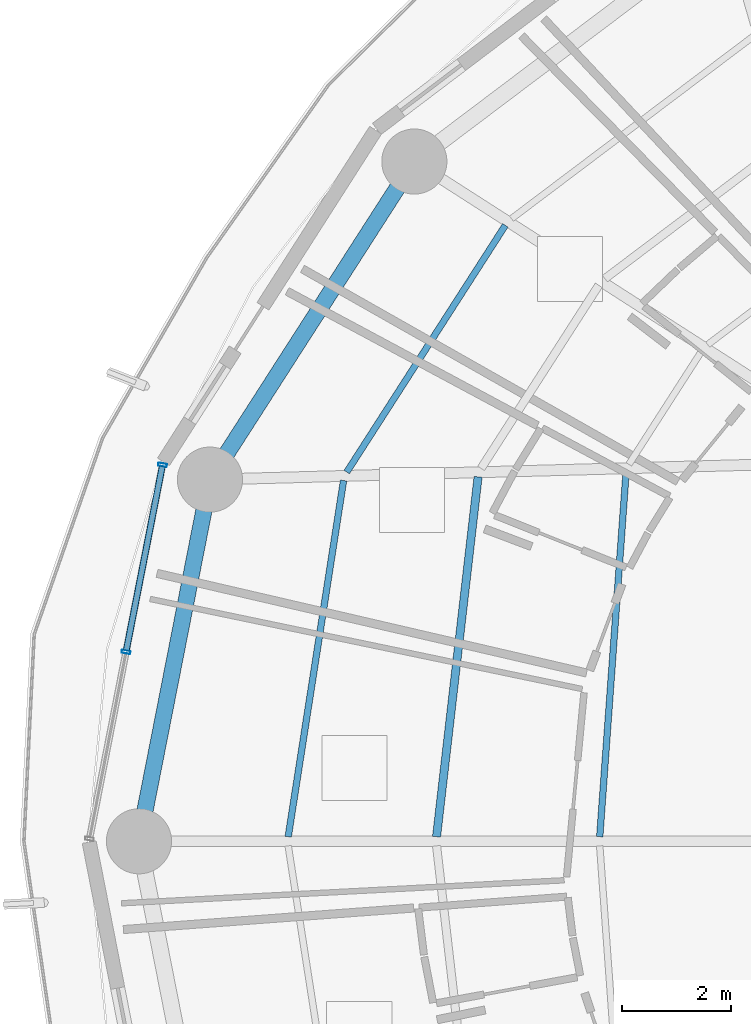
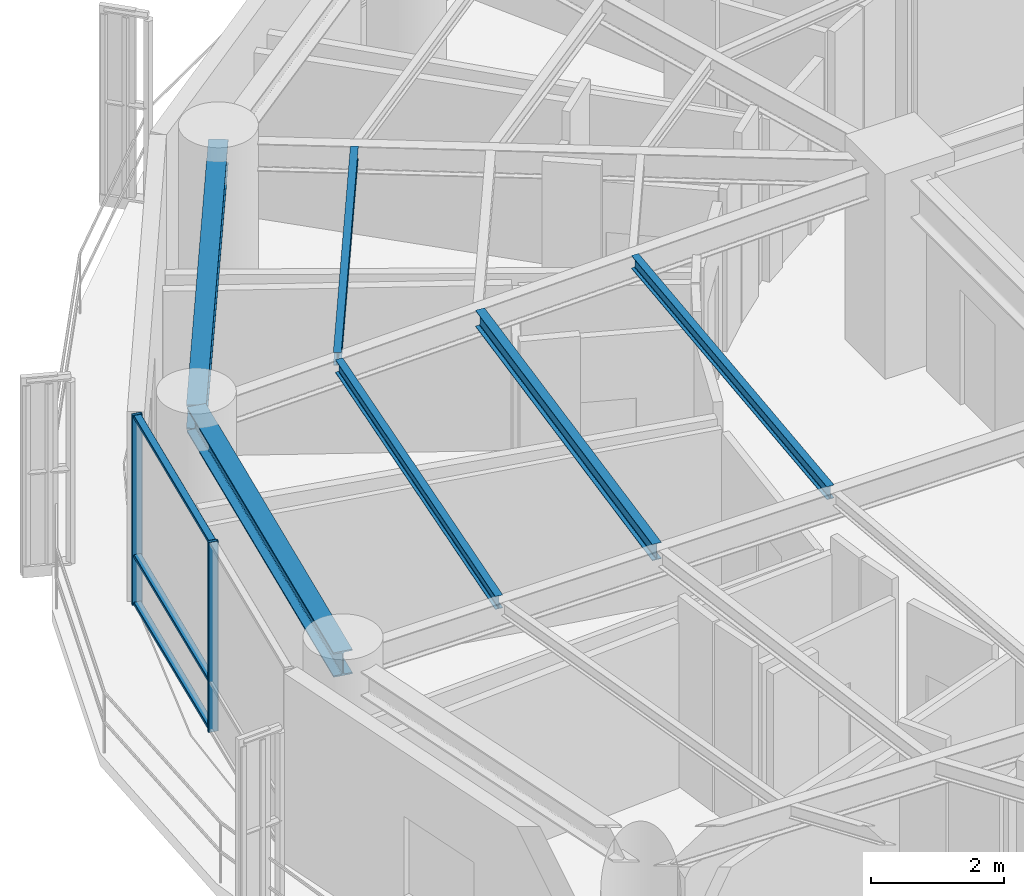
# One storey, part 8 of 27: 6 beams, 5 members, 1 element without a shape of its own.
"""IFC4 building model written with IfcOpenShell, lengths in metres."""

from ifc_helpers import new_model, si_unit, direction, frame, origin, origin_2d, place, context, subcontext, project, spatial, hollow_rectangle, i_section, extrude, material, layer, layer_set, material_profile, profile_set, type_object, element, aggregate, save


model = new_model("IFC4")

# Units and contexts
model_context = context("Model", 3, precision=1e-05, world=origin(), true_north=direction((0.0, 1.0)))
body_context = subcontext(model_context, "Body", "Model", "MODEL_VIEW")
ifc_project = project(units=[si_unit("LENGTHUNIT", "METRE"), si_unit("AREAUNIT", "SQUARE_METRE"), si_unit("VOLUMEUNIT", "CUBIC_METRE"), si_unit("PLANEANGLEUNIT", "RADIAN"), si_unit("MASSUNIT", "GRAM", prefix="KILO")], contexts=[model_context])

# Site, building, storey
site_placement = place(None, origin())
site = spatial("IfcSite", under=ifc_project, at=site_placement, CompositionType="ELEMENT")
building_placement = place(site_placement, origin())
building = spatial("IfcBuilding", under=site, at=building_placement, Name="Kelanora Arch Commons", CompositionType="ELEMENT")
storey_placement = place(building_placement, frame((0.0, 0.0, 143.10009765625)))
storey = spatial("IfcBuildingStorey", under=building, at=storey_placement, Name="L36", CompositionType="ELEMENT", Elevation=143.10009765625)

# Beams
ifc_material_1 = material(Name="Steel S355", Category="steel")
ifc_material_profile_1 = material_profile(ifc_material_1, i_section(OverallWidth=0.14990234375, OverallDepth=0.300048828125, WebThickness=0.007080078125, FlangeThickness=0.0107421875, FilletRadius=0.014892578125, at=origin_2d()), Name="IPE300")
ifc_profile_set_1 = profile_set([ifc_material_profile_1], Name="Steel S355")
beam_type_1 = type_object("IfcBeamType", Name="BM-JST-01", PredefinedType="JOIST", material=ifc_profile_set_1)
beam_1_placement = place(storey_placement, frame((58.56689453125, 64.713134765625, 3.33984375), z_axis=(-0.114667159005, -0.9934039675, 0.0), x_axis=(0.9934039675, -0.114667159005, 0.0)))
element("IfcBeam", 1, at=beam_1_placement, inside=storey, type_object=beam_type_1, Name="Secondary Chord Joist BJB-16 L36", PredefinedType="JOIST", context=body_context, shape_type="SweptSolid", body=[
    extrude(i_section(OverallWidth=0.14990234375, OverallDepth=0.300048828125, WebThickness=0.007080078125, FlangeThickness=0.0107421875, FilletRadius=0.014892578125, at=origin_2d()), origin(), (0.0, 0.0, 1.0), 6.672607421875),
])
ifc_material_profile_2 = material_profile(ifc_material_1, i_section(OverallWidth=0.1201171875, OverallDepth=0.239990234375, WebThickness=0.006103515625, FlangeThickness=0.009765625, FilletRadius=0.014892578125, at=origin_2d()), Name="IPE240")
ifc_profile_set_2 = profile_set([ifc_material_profile_2], Name="Steel S355")
beam_type_2 = type_object("IfcBeamType", Name="BM-JST-02", PredefinedType="JOIST", material=ifc_profile_set_2)
beam_2_placement = place(storey_placement, frame((59.06787109375, 69.345703125, 3.369873046875), z_axis=(-0.540581678156, -0.841291536414, 0.0), x_axis=(0.841291536414, -0.540581678156, 0.0)))
element("IfcBeam", 2, at=beam_2_placement, inside=storey, type_object=beam_type_2, Name="Secondary Chord Joist BJC-14 L36", PredefinedType="JOIST", context=body_context, shape_type="SweptSolid", body=[
    extrude(i_section(OverallWidth=0.1201171875, OverallDepth=0.239990234375, WebThickness=0.006103515625, FlangeThickness=0.009765625, FilletRadius=0.014892578125, at=origin_2d()), origin(), (0.0, 0.0, 1.0), 5.4013671875),
])
beam_3_placement = place(storey_placement, frame((61.292236328125, 64.787109375, 3.369873046875), z_axis=(-0.072117123738, -0.997396170267, 0.0), x_axis=(0.997396170267, -0.072117123738, 0.0)))
element("IfcBeam", 3, at=beam_3_placement, inside=storey, type_object=beam_type_2, Name="Secondary Chord Joist BJA-16 L36", PredefinedType="JOIST", context=body_context, shape_type="SweptSolid", body=[
    extrude(i_section(OverallWidth=0.1201171875, OverallDepth=0.239990234375, WebThickness=0.006103515625, FlangeThickness=0.009765625, FilletRadius=0.014892578125, at=origin_2d()), origin(), (0.0, 0.0, 1.0), 6.719970703125),
])
beam_4_placement = place(storey_placement, frame((56.0888671875, 64.64599609375, 3.369873046875), z_axis=(-0.153562625853, -0.988138917329, 0.0), x_axis=(0.988138917329, -0.153562625853, 0.0)))
element("IfcBeam", 4, at=beam_4_placement, inside=storey, type_object=beam_type_2, Name="Secondary Chord Joist BJC-16 L36", PredefinedType="JOIST", context=body_context, shape_type="SweptSolid", body=[
    extrude(i_section(OverallWidth=0.1201171875, OverallDepth=0.239990234375, WebThickness=0.006103515625, FlangeThickness=0.009765625, FilletRadius=0.014892578125, at=origin_2d()), origin(), (0.0, 0.0, 1.0), 6.640869140625),
])
ifc_material_profile_3 = material_profile(ifc_material_1, i_section(OverallWidth=0.300048828125, OverallDepth=0.449951171875, WebThickness=0.013916015625, FlangeThickness=0.02587890625, FilletRadius=0.027099609375, at=origin_2d()), Name="HEB450")
ifc_profile_set_3 = profile_set([ifc_material_profile_3], Name="Steel S355")
beam_type_3 = type_object("IfcBeamType", Name="BM-SPN-Z3", PredefinedType="SPANDREL", material=ifc_profile_set_3)
beam_5_placement = place(storey_placement, frame((57.39208984375, 70.521484375, 3.264892578125), z_axis=(-0.540576852469, -0.841294637196, 0.0), x_axis=(0.841294637196, -0.540576852469, 0.0)))
element("IfcBeam", 5, at=beam_5_placement, inside=storey, type_object=beam_type_3, Name="Perimeter Spandrel Beam BS-14 L36", PredefinedType="SPANDREL", context=body_context, shape_type="SweptSolid", body=[
    extrude(i_section(OverallWidth=0.300048828125, OverallDepth=0.449951171875, WebThickness=0.013916015625, FlangeThickness=0.02587890625, FilletRadius=0.027099609375, at=origin_2d()), origin(), (0.0, 0.0, 1.0), 6.964111328125),
])
beam_6_placement = place(storey_placement, frame((53.62744140625, 64.66259765625, 3.264892578125), z_axis=(-0.192553643556, -0.981286448675, 0.0), x_axis=(0.981286448675, -0.192553643556, 0.0)))
element("IfcBeam", 6, at=beam_6_placement, inside=storey, type_object=beam_type_3, Name="Perimeter Spandrel Beam BS-16 L36", PredefinedType="SPANDREL", context=body_context, shape_type="SweptSolid", body=[
    extrude(i_section(OverallWidth=0.300048828125, OverallDepth=0.449951171875, WebThickness=0.013916015625, FlangeThickness=0.02587890625, FilletRadius=0.027099609375, at=origin_2d()), origin(), (0.0, 0.0, 1.0), 6.78955078125),
])

# Curtain wall, members
ifc_material_2 = material(Name="Terracotta ceramic-fritted low-E glass and aluminium", Category="masonry")
ifc_layer = layer(ifc_material_2, 0.175048828125)
ifc_layer_set = layer_set([ifc_layer], Name="Terracotta ceramic-fritted low-E glass and aluminium")
curtain_wall_type = type_object("IfcCurtainWallType", Name="CW-SYS-02", PredefinedType="NOTDEFINED", material=ifc_layer_set)
curtain_wall_placement = place(storey_placement, origin())
curtain_wall = element("IfcCurtainWall", 7, at=curtain_wall_placement, inside=storey, type_object=curtain_wall_type, Name="Unitised Curtain Wall L36-B08", PredefinedType="NOTDEFINED")
ifc_material_3 = material(Name="Powder-coated aluminium terracotta", Category="masonry")
ifc_material_profile_4 = material_profile(ifc_material_3, hollow_rectangle(XDim=0.159912109375, YDim=0.06005859375, WallThickness=0.0048828125, InnerFilletRadius=0.0048828125, OuterFilletRadius=0.010009765625, at=origin_2d()), Name="CWM160x60")
ifc_profile_set_4 = profile_set([ifc_material_profile_4], Name="Powder-coated aluminium terracotta")
member_type_1 = type_object("IfcMemberType", Name="CWM-STD", PredefinedType="MULLION", material=ifc_profile_set_4)
member_1_placement = place(storey_placement, frame((52.754150390625, 64.93310546875, 0.0), z_axis=(0.0, 0.0, 1.0), x_axis=(0.981452557718, -0.191705182375, 0.0)))
member_1 = element("IfcMember", 8, at=member_1_placement, type_object=member_type_1, Name="CW-02 mullion 1", PredefinedType="MULLION", context=body_context, shape_type="SweptSolid", body=[
    extrude(hollow_rectangle(XDim=0.159912109375, YDim=0.06005859375, WallThickness=0.0048828125, InnerFilletRadius=0.0048828125, OuterFilletRadius=0.010009765625, at=origin_2d()), origin(), (0.0, 0.0, 1.0), 3.474853515625),
])
member_2_placement = place(storey_placement, frame((52.08154296875, 61.488525390625, 0.0), z_axis=(0.0, 0.0, 1.0), x_axis=(0.981452557718, -0.191705182375, 0.0)))
member_2 = element("IfcMember", 9, at=member_2_placement, type_object=member_type_1, Name="CW-02 mullion 2", PredefinedType="MULLION", context=body_context, shape_type="SweptSolid", body=[
    extrude(hollow_rectangle(XDim=0.159912109375, YDim=0.06005859375, WallThickness=0.0048828125, InnerFilletRadius=0.0048828125, OuterFilletRadius=0.010009765625, at=origin_2d()), origin(), (0.0, 0.0, 1.0), 3.474853515625),
])
ifc_material_profile_5 = material_profile(ifc_material_3, hollow_rectangle(XDim=0.1201171875, YDim=0.06005859375, WallThickness=0.0048828125, InnerFilletRadius=0.0048828125, OuterFilletRadius=0.010009765625, at=origin_2d()), Name="CWT120x60")
ifc_profile_set_5 = profile_set([ifc_material_profile_5], Name="Powder-coated aluminium terracotta")
member_type_2 = type_object("IfcMemberType", Name="CWT-STD", PredefinedType="USERDEFINED", material=ifc_profile_set_5)
member_3_placement = place(storey_placement, frame((52.74853515625, 64.903564453125, 0.02978515625), z_axis=(-0.191731523726, -0.981447412147, 0.0), x_axis=(0.981447412147, -0.191731523726, 0.0)))
member_3 = element("IfcMember", 10, at=member_3_placement, type_object=member_type_2, Name="CW-02 transom 1.1", ObjectType="TRANSOM", PredefinedType="USERDEFINED", context=body_context, shape_type="SweptSolid", body=[
    extrude(hollow_rectangle(XDim=0.1201171875, YDim=0.06005859375, WallThickness=0.0048828125, InnerFilletRadius=0.0048828125, OuterFilletRadius=0.010009765625, at=origin_2d()), origin(), (0.0, 0.0, 1.0), 3.449462890625),
])
member_4_placement = place(storey_placement, frame((52.74853515625, 64.903564453125, 0.89990234375), z_axis=(-0.191731523726, -0.981447412147, 0.0), x_axis=(0.981447412147, -0.191731523726, 0.0)))
member_4 = element("IfcMember", 11, at=member_4_placement, type_object=member_type_2, Name="CW-02 transom 1.2", ObjectType="TRANSOM", PredefinedType="USERDEFINED", context=body_context, shape_type="SweptSolid", body=[
    extrude(hollow_rectangle(XDim=0.1201171875, YDim=0.06005859375, WallThickness=0.0048828125, InnerFilletRadius=0.0048828125, OuterFilletRadius=0.010009765625, at=origin_2d()), origin(), (0.0, 0.0, 1.0), 3.449462890625),
])
member_5_placement = place(storey_placement, frame((52.74853515625, 64.903564453125, 3.44482421875), z_axis=(-0.191731523726, -0.981447412147, 0.0), x_axis=(0.981447412147, -0.191731523726, 0.0)))
member_5 = element("IfcMember", 12, at=member_5_placement, type_object=member_type_2, Name="CW-02 transom 1.3", ObjectType="TRANSOM", PredefinedType="USERDEFINED", context=body_context, shape_type="SweptSolid", body=[
    extrude(hollow_rectangle(XDim=0.1201171875, YDim=0.06005859375, WallThickness=0.0048828125, InnerFilletRadius=0.0048828125, OuterFilletRadius=0.010009765625, at=origin_2d()), origin(), (0.0, 0.0, 1.0), 3.449462890625),
])
aggregate(curtain_wall, [member_1, member_2, member_3, member_4, member_5])

save(model, "model.ifc")
